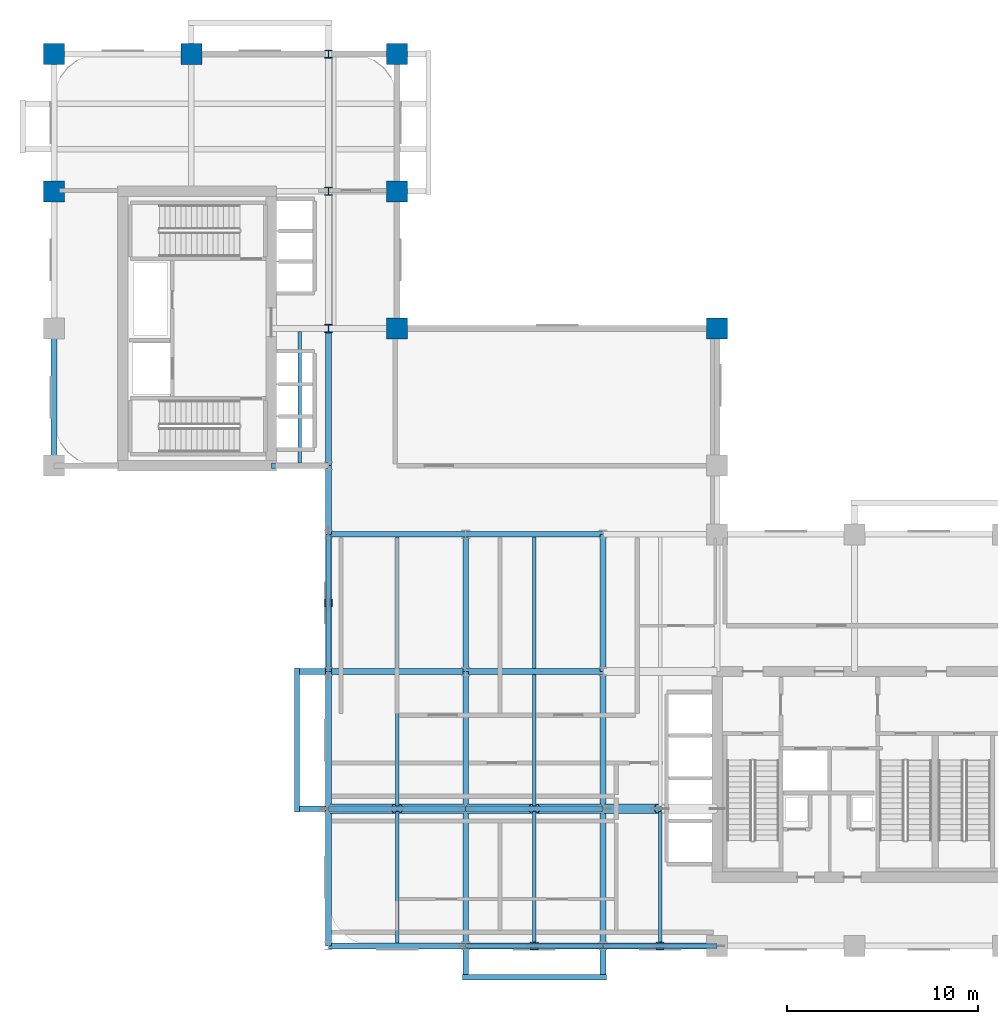
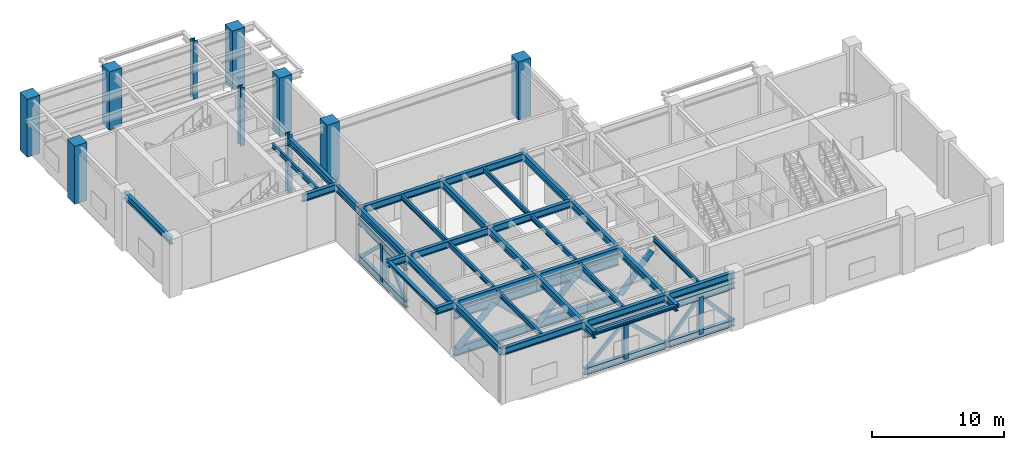
# One storey, part 2 of 12: 32 beams, 24 members, 10 columns.
"""IFC4 building model written with IfcOpenShell, lengths in metres."""

from ifc_helpers import new_model, si_unit, derived_unit, direction, frame, origin, origin_2d, place, context, subcontext, project, spatial, rectangle, hollow_rectangle, hollow_circle, i_section, extrude, source, transform, mapped, material, material_profile, profile_set, type_object, type_shapes, element, save


model = new_model("IFC4")

# Units and contexts
model_context = context("Model", 3, precision=1e-05, world=origin(), true_north=direction((0.0, 1.0)))
body_context = subcontext(model_context, "Body", "Model", "MODEL_VIEW")
ifc_project = project(units=[si_unit("LENGTHUNIT", "METRE"), si_unit("AREAUNIT", "SQUARE_METRE"), si_unit("VOLUMEUNIT", "CUBIC_METRE"), si_unit("PLANEANGLEUNIT", "RADIAN"), si_unit("MASSUNIT", "GRAM", prefix="KILO"), si_unit("THERMODYNAMICTEMPERATUREUNIT", "KELVIN"), si_unit("POWERUNIT", "WATT"), derived_unit("THERMALTRANSMITTANCEUNIT", [(si_unit("POWERUNIT", "WATT"), 1), (si_unit("AREAUNIT", "SQUARE_METRE"), -1), (si_unit("THERMODYNAMICTEMPERATUREUNIT", "KELVIN"), -1)])], contexts=[model_context])

# Site, building, storey
site_placement = place(None, origin())
site = spatial("IfcSite", under=ifc_project, at=site_placement, CompositionType="ELEMENT")
building_placement = place(site_placement, origin())
building = spatial("IfcBuilding", under=site, at=building_placement, Name="Zahravan Archway Hotel and Residences", CompositionType="ELEMENT")
storey_placement = place(building_placement, frame((0.0, 0.0, 106.39990234375)))
storey = spatial("IfcBuildingStorey", under=building, at=storey_placement, Name="L26", CompositionType="ELEMENT", Elevation=106.39990234375)

# Columns
ifc_material_1 = material(Name="Concrete C70/85", Category="concrete")
ifc_material_profile_1 = material_profile(ifc_material_1, rectangle(XDim=1.10009765625, YDim=1.10009765625, at=origin_2d()), Name="RC 1100x1100", Category="concrete")
ifc_profile_set_1 = profile_set([ifc_material_profile_1], Name="Concrete C70/85")
column_type_1 = type_object("IfcColumnType", Name="COL-RC-1100", PredefinedType="COLUMN", material=ifc_profile_set_1)
shared_shape_1 = source(origin(), body_context, "Body", "SweptSolid", [
    extrude(rectangle(XDim=1.10009765625, YDim=1.10009765625, at=origin_2d()), origin(), (0.0, 0.0, 1.0), 5.400146484375),
])
for number, where, z_axis, x_axis, name in (
    (1, (0.0, 39.60009765625, 0.0), (0.0, 0.0, 1.0), (1.0, 0.0, 0.0), "L26 Column 1-G"),
    (2, (0.0, 46.800048828125, 0.0), (0.0, 0.0, 1.0), (1.0, 0.0, 0.0), "L26 Column 1-H"),
    (3, (7.199951171875, 46.800048828125, 0.0), (0.0, 0.0, 1.0), (1.0, 0.0, 0.0), "L26 Column 2-H"),
    (4, (34.800048828125, 32.39990234375, 0.0), (0.0, 0.0, 1.0), (1.0, 0.0, 0.0), "L26 Column 6-F"),
    (5, (18.0, 32.39990234375, 0.0), (0.0, 0.0, 1.0), (1.0, 0.0, 0.0), "L26 Column 3B-F"),
    (6, (18.0, 39.60009765625, 0.0), (0.0, 0.0, 1.0), (1.0, 0.0, 0.0), "L26 Column 3B-G"),
    (7, (18.0, 46.800048828125, 0.0), (0.0, 0.0, 1.0), (1.0, 0.0, 0.0), "L26 Column 3B-H"),
):
    element("IfcColumn", number, at=place(storey_placement, frame(where, z_axis=z_axis, x_axis=x_axis)), inside=storey, type_object=column_type_1, Name=name, PredefinedType="COLUMN", context=body_context, shape_type="MappedRepresentation", body=[
        mapped(shared_shape_1, transform((0.0, 0.0, 0.0), scale=1.0)),
    ])
ifc_material_2 = material(Name="Structural Steel S460M", Category="steel")
ifc_material_profile_2 = material_profile(ifc_material_2, i_section(OverallWidth=0.408935546875, OverallDepth=0.425048828125, WebThickness=0.0244140625, FlangeThickness=0.0390625, FilletRadius=0.014892578125, at=origin_2d()), Name="HD 400x421", Category="steel")
ifc_profile_set_2 = profile_set([ifc_material_profile_2], Name="Structural Steel S460M")
column_type_2 = type_object("IfcColumnType", Name="COL-STL-HD400", PredefinedType="COLUMN", material=ifc_profile_set_2)
shared_shape_2 = source(origin(), body_context, "Body", "SweptSolid", [
    extrude(i_section(OverallWidth=0.408935546875, OverallDepth=0.425048828125, WebThickness=0.0244140625, FlangeThickness=0.0390625, FilletRadius=0.014892578125, at=origin_2d()), origin(), (0.0, 0.0, 1.0), 5.400146484375),
])
for number, where, z_axis, x_axis, name in (
    (8, (14.39990234375, 32.39990234375, 0.0), (0.0, 0.0, 1.0), (1.0, 0.0, 0.0), "L26 Column 3-F"),
    (9, (14.39990234375, 39.60009765625, 0.0), (0.0, 0.0, 1.0), (1.0, 0.0, 0.0), "L26 Column 3-G"),
    (10, (14.39990234375, 46.800048828125, 0.0), (0.0, 0.0, 1.0), (1.0, 0.0, 0.0), "L26 Column 3-H"),
):
    element("IfcColumn", number, at=place(storey_placement, frame(where, z_axis=z_axis, x_axis=x_axis)), inside=storey, type_object=column_type_2, Name=name, PredefinedType="COLUMN", context=body_context, shape_type="MappedRepresentation", body=[
        mapped(shared_shape_2, transform((0.0, 0.0, 0.0), scale=1.0)),
    ])

# Beams
ifc_material_3 = material(Name="Structural Steel S355JR", Category="steel")
ifc_material_profile_3 = material_profile(ifc_material_3, i_section(OverallWidth=0.300048828125, OverallDepth=0.64990234375, WebThickness=0.01611328125, FlangeThickness=0.031005859375, FilletRadius=0.027099609375, at=origin_2d()), Name="HEB 650", Category="steel")
ifc_profile_set_3 = profile_set([ifc_material_profile_3], Name="Structural Steel S355JR")
beam_type_1 = type_object("IfcBeamType", Name="BM-PRI-HEB650", PredefinedType="BEAM", material=ifc_profile_set_3)
shared_shape_3 = source(origin(), body_context, "Body", "SweptSolid", [
    extrude(i_section(OverallWidth=0.300048828125, OverallDepth=0.64990234375, WebThickness=0.01611328125, FlangeThickness=0.031005859375, FilletRadius=0.027099609375, at=origin_2d()), origin(), (0.0, 0.0, 1.0), 7.2001953125),
])
type_shapes(beam_type_1, [shared_shape_3])
for number, where, z_axis, x_axis, name in (
    (11, (14.39990234375, 0.0, 4.8251953125), (1.0, 0.0, 0.0), (0.0, 1.0, 0.0), "L26 Primary Girder EW-01"),
    (12, (14.39990234375, 21.60009765625, 4.8251953125), (1.0, 0.0, 0.0), (0.0, 1.0, 0.0), "L26 Primary Girder EW-11"),
    (13, (14.39990234375, 14.39990234375, 4.8251953125), (0.0, 1.0, 0.0), (-1.0, 0.0, 0.0), "L26 Primary Girder NS-30"),
    (14, (21.60009765625, 14.39990234375, 4.8251953125), (0.0, 1.0, 0.0), (-1.0, 0.0, 0.0), "L26 Primary Girder NS-37"),
    (15, (28.800048828125, 14.39990234375, 4.8251953125), (0.0, 1.0, 0.0), (-1.0, 0.0, 0.0), "L26 Primary Girder NS-40"),
):
    element("IfcBeam", number, at=place(storey_placement, frame(where, z_axis=z_axis, x_axis=x_axis)), inside=storey, type_object=beam_type_1, Name=name, PredefinedType="BEAM", context=body_context, shape_type="MappedRepresentation", body=[
        mapped(shared_shape_3, transform((0.0, 0.0, 0.0), scale=1.0)),
    ])
shared_shape_4 = source(origin(), body_context, "Body", "SweptSolid", [
    extrude(i_section(OverallWidth=0.300048828125, OverallDepth=0.64990234375, WebThickness=0.01611328125, FlangeThickness=0.031005859375, FilletRadius=0.027099609375, at=origin_2d()), origin(), (0.0, 0.0, 1.0), 7.199951171875),
])
for number, where, z_axis, x_axis, name in (
    (16, (21.60009765625, 0.0, 4.8251953125), (1.0, 0.0, 0.0), (0.0, 1.0, 0.0), "L26 Primary Girder EW-02"),
    (17, (21.60009765625, 7.199951171875, 4.8251953125), (1.0, 0.0, 0.0), (0.0, 1.0, 0.0), "L26 Primary Girder EW-07"),
    (18, (21.60009765625, 14.39990234375, 4.8251953125), (1.0, 0.0, 0.0), (0.0, 1.0, 0.0), "L26 Primary Girder EW-10"),
    (19, (21.60009765625, 21.60009765625, 4.8251953125), (1.0, 0.0, 0.0), (0.0, 1.0, 0.0), "L26 Primary Girder EW-12"),
    (20, (0.0, 25.199951171875, 4.8251953125), (0.0, 1.0, 0.0), (-1.0, 0.0, 0.0), "L26 Primary Girder NS-24"),
    (21, (14.39990234375, 0.0, 4.8251953125), (0.0, 1.0, 0.0), (-1.0, 0.0, 0.0), "L26 Primary Girder NS-28"),
    (22, (14.39990234375, 7.199951171875, 4.8251953125), (0.0, 1.0, 0.0), (-1.0, 0.0, 0.0), "L26 Primary Girder NS-29"),
    (23, (14.39990234375, 25.199951171875, 4.8251953125), (0.0, 1.0, 0.0), (-1.0, 0.0, 0.0), "L26 Primary Girder NS-32"),
    (24, (21.60009765625, 7.199951171875, 4.8251953125), (0.0, 1.0, 0.0), (-1.0, 0.0, 0.0), "L26 Primary Girder NS-36"),
    (25, (28.800048828125, 7.199951171875, 4.8251953125), (0.0, 1.0, 0.0), (-1.0, 0.0, 0.0), "L26 Primary Girder NS-39"),
):
    element("IfcBeam", number, at=place(storey_placement, frame(where, z_axis=z_axis, x_axis=x_axis)), inside=storey, type_object=beam_type_1, Name=name, PredefinedType="BEAM", context=body_context, shape_type="MappedRepresentation", body=[
        mapped(shared_shape_4, transform((0.0, 0.0, 0.0), scale=1.0)),
    ])
shared_shape_5 = source(origin(), body_context, "Body", "SweptSolid", [
    extrude(i_section(OverallWidth=0.300048828125, OverallDepth=0.64990234375, WebThickness=0.01611328125, FlangeThickness=0.031005859375, FilletRadius=0.027099609375, at=origin_2d()), origin(), (0.0, 0.0, 1.0), 6.0),
])
beam_1_placement = place(storey_placement, frame((28.800048828125, 0.0, 4.8251953125), z_axis=(1.0, 0.0, 0.0), x_axis=(0.0, 1.0, 0.0)))
element("IfcBeam", 26, at=beam_1_placement, inside=storey, type_object=beam_type_1, Name="L26 Primary Girder EW-03", PredefinedType="BEAM", context=body_context, shape_type="MappedRepresentation", body=[
    mapped(shared_shape_5, transform((0.0, 0.0, 0.0), scale=1.0)),
])
shared_shape_6 = source(origin(), body_context, "Body", "SweptSolid", [
    extrude(i_section(OverallWidth=0.300048828125, OverallDepth=0.64990234375, WebThickness=0.01611328125, FlangeThickness=0.031005859375, FilletRadius=0.027099609375, at=origin_2d()), origin(), (0.0, 0.0, 1.0), 3.0),
])
beam_2_placement = place(storey_placement, frame((11.39990234375, 25.199951171875, 4.8251953125), z_axis=(1.0, 0.0, 0.0), x_axis=(0.0, 1.0, 0.0)))
element("IfcBeam", 27, at=beam_2_placement, inside=storey, type_object=beam_type_1, Name="L26 Primary Girder EW-16", PredefinedType="BEAM", context=body_context, shape_type="MappedRepresentation", body=[
    mapped(shared_shape_6, transform((0.0, 0.0, 0.0), scale=1.0)),
])
ifc_material_profile_4 = material_profile(ifc_material_3, i_section(OverallWidth=0.280029296875, OverallDepth=0.280029296875, WebThickness=0.010498046875, FlangeThickness=0.01806640625, FilletRadius=0.02392578125, at=origin_2d()), Name="HEB 280", Category="steel")
ifc_profile_set_4 = profile_set([ifc_material_profile_4], Name="Structural Steel S355JR")
beam_type_2 = type_object("IfcBeamType", Name="BM-SPN-HEB280", PredefinedType="SPANDREL", material=ifc_profile_set_4)
shared_shape_7 = source(origin(), body_context, "Body", "SweptSolid", [
    extrude(i_section(OverallWidth=0.280029296875, OverallDepth=0.280029296875, WebThickness=0.010498046875, FlangeThickness=0.01806640625, FilletRadius=0.02392578125, at=origin_2d()), origin(), (0.0, 0.0, 1.0), 7.56005859375),
])
type_shapes(beam_type_2, [shared_shape_7])
for number, where, z_axis, x_axis, name in (
    (28, (12.75, 7.02001953125, 5.010009765625), (0.0, 1.0, 0.0), (-1.0, 0.0, 0.0), "L27 WA Balcony Edge Spandrel"),
    (29, (21.419921875, -1.64990234375, 5.010009765625), (1.0, 0.0, 0.0), (0.0, 1.0, 0.0), "L27 SA Balcony Edge Spandrel"),
):
    element("IfcBeam", number, at=place(storey_placement, frame(where, z_axis=z_axis, x_axis=x_axis)), inside=storey, type_object=beam_type_2, Name=name, PredefinedType="SPANDREL", context=body_context, shape_type="MappedRepresentation", body=[
        mapped(shared_shape_7, transform((0.0, 0.0, 0.0), scale=1.0)),
    ])
shared_shape_8 = source(origin(), body_context, "Body", "SweptSolid", [
    extrude(i_section(OverallWidth=0.300048828125, OverallDepth=0.64990234375, WebThickness=0.01611328125, FlangeThickness=0.031005859375, FilletRadius=0.027099609375, at=origin_2d()), origin(), (0.0, 0.0, 1.0), 3.599853515625),
])
beam_3_placement = place(storey_placement, frame((14.39990234375, 21.60009765625, 4.8251953125), z_axis=(0.0, 1.0, 0.0), x_axis=(-1.0, 0.0, 0.0)))
element("IfcBeam", 30, at=beam_3_placement, inside=storey, type_object=beam_type_1, Name="L26 Primary Girder NS-31", PredefinedType="BEAM", context=body_context, shape_type="MappedRepresentation", body=[
    mapped(shared_shape_8, transform((0.0, 0.0, 0.0), scale=1.0)),
])
ifc_material_profile_5 = material_profile(ifc_material_3, i_section(OverallWidth=0.18994140625, OverallDepth=0.449951171875, WebThickness=0.009521484375, FlangeThickness=0.0146484375, FilletRadius=0.02099609375, at=origin_2d()), Name="IPE 450", Category="steel")
ifc_profile_set_5 = profile_set([ifc_material_profile_5], Name="Structural Steel S355JR")
beam_type_3 = type_object("IfcBeamType", Name="BM-JST-IPE450", PredefinedType="JOIST", material=ifc_profile_set_5)
shared_shape_9 = source(origin(), body_context, "Body", "SweptSolid", [
    extrude(i_section(OverallWidth=0.18994140625, OverallDepth=0.449951171875, WebThickness=0.009521484375, FlangeThickness=0.0146484375, FilletRadius=0.02099609375, at=origin_2d()), origin(), (0.0, 0.0, 1.0), 6.904052734375),
])
type_shapes(beam_type_3, [shared_shape_9])
for number, where, z_axis, x_axis, name in (
    (31, (18.0, 0.14794921875, 4.925048828125), (0.0, 1.0, 0.0), (-1.0, 0.0, 0.0), "L26 Composite Floor Joist 01"),
    (32, (25.199951171875, 0.14794921875, 4.925048828125), (0.0, 1.0, 0.0), (-1.0, 0.0, 0.0), "L26 Composite Floor Joist 02"),
    (33, (31.800048828125, 0.14794921875, 4.925048828125), (0.0, 1.0, 0.0), (-1.0, 0.0, 0.0), "L26 Composite Floor Joist 03"),
    (34, (18.0, 7.347900390625, 4.925048828125), (0.0, 1.0, 0.0), (-1.0, 0.0, 0.0), "L26 Composite Floor Joist 04"),
    (35, (25.199951171875, 7.347900390625, 4.925048828125), (0.0, 1.0, 0.0), (-1.0, 0.0, 0.0), "L26 Composite Floor Joist 05"),
    (36, (12.89990234375, 25.347900390625, 4.925048828125), (0.0, 1.0, 0.0), (-1.0, 0.0, 0.0), "L26 Composite Floor Joist 10"),
):
    element("IfcBeam", number, at=place(storey_placement, frame(where, z_axis=z_axis, x_axis=x_axis)), inside=storey, type_object=beam_type_3, Name=name, PredefinedType="JOIST", context=body_context, shape_type="MappedRepresentation", body=[
        mapped(shared_shape_9, transform((0.0, 0.0, 0.0), scale=1.0)),
    ])
shared_shape_10 = source(origin(), body_context, "Body", "SweptSolid", [
    extrude(i_section(OverallWidth=0.18994140625, OverallDepth=0.449951171875, WebThickness=0.009521484375, FlangeThickness=0.0146484375, FilletRadius=0.02099609375, at=origin_2d()), origin(), (0.0, 0.0, 1.0), 6.90380859375),
])
for number, where, z_axis, x_axis, name in (
    (37, (18.0, 14.548095703125, 4.925048828125), (0.0, 1.0, 0.0), (-1.0, 0.0, 0.0), "L26 Composite Floor Joist 08"),
    (38, (25.199951171875, 14.548095703125, 4.925048828125), (0.0, 1.0, 0.0), (-1.0, 0.0, 0.0), "L26 Composite Floor Joist 09"),
):
    element("IfcBeam", number, at=place(storey_placement, frame(where, z_axis=z_axis, x_axis=x_axis)), inside=storey, type_object=beam_type_3, Name=name, PredefinedType="JOIST", context=body_context, shape_type="MappedRepresentation", body=[
        mapped(shared_shape_10, transform((0.0, 0.0, 0.0), scale=1.0)),
    ])
shared_shape_11 = source(origin(), body_context, "Body", "SweptSolid", [
    extrude(i_section(OverallWidth=0.300048828125, OverallDepth=0.64990234375, WebThickness=0.01611328125, FlangeThickness=0.031005859375, FilletRadius=0.027099609375, at=origin_2d()), origin(), (0.0, 0.0, 1.0), 8.85009765625),
])
for number, where, z_axis, x_axis, name in (
    (39, (12.75, 7.199951171875, 4.8251953125), (1.0, 0.0, 0.0), (0.0, 1.0, 0.0), "L26 Primary Girder EW-06"),
    (40, (12.75, 14.39990234375, 4.8251953125), (1.0, 0.0, 0.0), (0.0, 1.0, 0.0), "L26 Primary Girder EW-09"),
):
    element("IfcBeam", number, at=place(storey_placement, frame(where, z_axis=z_axis, x_axis=x_axis)), inside=storey, type_object=beam_type_1, Name=name, PredefinedType="BEAM", context=body_context, shape_type="MappedRepresentation", body=[
        mapped(shared_shape_11, transform((0.0, 0.0, 0.0), scale=1.0)),
    ])
shared_shape_12 = source(origin(), body_context, "Body", "SweptSolid", [
    extrude(i_section(OverallWidth=0.300048828125, OverallDepth=0.64990234375, WebThickness=0.01611328125, FlangeThickness=0.031005859375, FilletRadius=0.027099609375, at=origin_2d()), origin(), (0.0, 0.0, 1.0), 8.849853515625),
])
for number, where, z_axis, x_axis, name in (
    (41, (21.60009765625, -1.64990234375, 4.8251953125), (0.0, 1.0, 0.0), (-1.0, 0.0, 0.0), "L26 Primary Girder NS-35"),
    (42, (28.800048828125, -1.64990234375, 4.8251953125), (0.0, 1.0, 0.0), (-1.0, 0.0, 0.0), "L26 Primary Girder NS-38"),
):
    element("IfcBeam", number, at=place(storey_placement, frame(where, z_axis=z_axis, x_axis=x_axis)), inside=storey, type_object=beam_type_1, Name=name, PredefinedType="BEAM", context=body_context, shape_type="MappedRepresentation", body=[
        mapped(shared_shape_12, transform((0.0, 0.0, 0.0), scale=1.0)),
    ])

# Members
ifc_material_profile_6 = material_profile(ifc_material_2, i_section(OverallWidth=0.302978515625, OverallDepth=0.81396484375, WebThickness=0.02099609375, FlangeThickness=0.0400390625, FilletRadius=0.030029296875, at=origin_2d()), Name="HEM 800", Category="steel")
ifc_profile_set_6 = profile_set([ifc_material_profile_6], Name="Structural Steel S460M")
member_type_1 = type_object("IfcMemberType", Name="MEM-CHD-HEM800", PredefinedType="CHORD", material=ifc_profile_set_6)
shared_shape_13 = source(origin(), body_context, "Body", "SweptSolid", [
    extrude(i_section(OverallWidth=0.302978515625, OverallDepth=0.81396484375, WebThickness=0.02099609375, FlangeThickness=0.0400390625, FilletRadius=0.030029296875, at=origin_2d()), origin(), (0.0, 0.0, 1.0), 7.2001953125),
])
type_shapes(member_type_1, [shared_shape_13])
for number, where, z_axis, x_axis, name in (
    (43, (14.39990234375, 7.199951171875, 3.900146484375), (1.0, 0.0, 0.0), (0.0, 1.0, 0.0), "L26 Outrigger OT2 Top Chord 1"),
    (44, (14.39990234375, 7.199951171875, 0.4501953125), (1.0, 0.0, 0.0), (0.0, 1.0, 0.0), "L26 Outrigger OT2 Bottom Chord 1"),
):
    element("IfcMember", number, at=place(storey_placement, frame(where, z_axis=z_axis, x_axis=x_axis)), inside=storey, type_object=member_type_1, Name=name, PredefinedType="CHORD", context=body_context, shape_type="MappedRepresentation", body=[
        mapped(shared_shape_13, transform((0.0, 0.0, 0.0), scale=1.0)),
    ])
ifc_material_profile_7 = material_profile(ifc_material_2, hollow_circle(Radius=0.25390625, WallThickness=0.02490234375, at=origin_2d()), Name="CHS 508x25", Category="steel")
ifc_profile_set_7 = profile_set([ifc_material_profile_7], Name="Structural Steel S460M")
member_type_2 = type_object("IfcMemberType", Name="MEM-DIAG-CHS508", PredefinedType="BRACE", material=ifc_profile_set_7)
shared_shape_14 = source(origin(), body_context, "Body", "SweptSolid", [
    extrude(hollow_circle(Radius=0.25390625, WallThickness=0.02490234375, at=origin_2d()), origin(), (0.0, 0.0, 1.0), 4.586181640625),
])
type_shapes(member_type_2, [shared_shape_14])
for number, where, z_axis, x_axis, name in (
    (45, (14.5732421875, 7.199951171875, 0.6162109375), (0.722011473464, 0.0, 0.691881082402), (0.0, 1.0, 0.0), "L26 Outrigger OT2 Chevron Left 1"),
    (46, (18.115478515625, 7.199951171875, 3.789306640625), (0.722011473464, 0.0, -0.691881082402), (0.0, 1.0, 0.0), "L26 Outrigger OT2 Chevron Right 1"),
    (47, (21.773193359375, 7.199951171875, 0.6162109375), (0.722011473464, 0.0, 0.691881082402), (0.0, 1.0, 0.0), "L26 Outrigger OT2 Chevron Left 2"),
    (48, (25.3154296875, 7.199951171875, 3.789306640625), (0.722011473464, 0.0, -0.691881082402), (0.0, 1.0, 0.0), "L26 Outrigger OT2 Chevron Right 2"),
):
    element("IfcMember", number, at=place(storey_placement, frame(where, z_axis=z_axis, x_axis=x_axis)), inside=storey, type_object=member_type_2, Name=name, PredefinedType="BRACE", context=body_context, shape_type="MappedRepresentation", body=[
        mapped(shared_shape_14, transform((0.0, 0.0, 0.0), scale=1.0)),
    ])
shared_shape_15 = source(origin(), body_context, "Body", "SweptSolid", [
    extrude(i_section(OverallWidth=0.302978515625, OverallDepth=0.81396484375, WebThickness=0.02099609375, FlangeThickness=0.0400390625, FilletRadius=0.030029296875, at=origin_2d()), origin(), (0.0, 0.0, 1.0), 7.199951171875),
])
for number, where, z_axis, x_axis, name in (
    (49, (21.60009765625, 7.199951171875, 3.900146484375), (1.0, 0.0, 0.0), (0.0, 1.0, 0.0), "L26 Outrigger OT2 Top Chord 2"),
    (50, (21.60009765625, 7.199951171875, 0.4501953125), (1.0, 0.0, 0.0), (0.0, 1.0, 0.0), "L26 Outrigger OT2 Bottom Chord 2"),
):
    element("IfcMember", number, at=place(storey_placement, frame(where, z_axis=z_axis, x_axis=x_axis)), inside=storey, type_object=member_type_1, Name=name, PredefinedType="CHORD", context=body_context, shape_type="MappedRepresentation", body=[
        mapped(shared_shape_15, transform((0.0, 0.0, 0.0), scale=1.0)),
    ])
shared_shape_16 = source(origin(), body_context, "Body", "SweptSolid", [
    extrude(hollow_circle(Radius=0.25390625, WallThickness=0.02490234375, at=origin_2d()), origin(), (0.0, 0.0, 1.0), 4.171875),
])
member_placement = place(storey_placement, frame((28.95751953125, 7.199951171875, 0.631103515625), z_axis=(0.656177266113, 0.0, 0.754606781997), x_axis=(0.0, 1.0, 0.0)))
element("IfcMember", 51, at=member_placement, inside=storey, type_object=member_type_2, Name="L26 Outrigger OT2 Chevron Left 3", PredefinedType="BRACE", context=body_context, shape_type="MappedRepresentation", body=[
    mapped(shared_shape_16, transform((0.0, 0.0, 0.0), scale=1.0)),
])
ifc_material_4 = material(Name="Structural Steel S355J2", Category="steel")
ifc_material_profile_8 = material_profile(ifc_material_4, i_section(OverallWidth=0.304931640625, OverallDepth=0.6201171875, WebThickness=0.02099609375, FlangeThickness=0.0400390625, FilletRadius=0.027099609375, at=origin_2d()), Name="HEM 600", Category="steel")
ifc_profile_set_8 = profile_set([ifc_material_profile_8], Name="Structural Steel S355J2")
member_type_3 = type_object("IfcMemberType", Name="MEM-CHD-HEM600", PredefinedType="CHORD", material=ifc_profile_set_8)
shared_shape_17 = source(origin(), body_context, "Body", "SweptSolid", [
    extrude(i_section(OverallWidth=0.304931640625, OverallDepth=0.6201171875, WebThickness=0.02099609375, FlangeThickness=0.0400390625, FilletRadius=0.027099609375, at=origin_2d()), origin(), (0.0, 0.0, 1.0), 7.199951171875),
])
type_shapes(member_type_3, [shared_shape_17])
for number, where, z_axis, x_axis, name in (
    (52, (21.60009765625, 0.0, 0.4501953125), (1.0, 0.0, 0.0), (0.0, 1.0, 0.0), "L26 Belt Truss BT2 Bottom Chord 1"),
    (53, (21.60009765625, 0.0, 3.900146484375), (1.0, 0.0, 0.0), (0.0, 1.0, 0.0), "L26 Belt Truss BT2 Top Chord 1"),
):
    element("IfcMember", number, at=place(storey_placement, frame(where, z_axis=z_axis, x_axis=x_axis)), inside=storey, type_object=member_type_3, Name=name, PredefinedType="CHORD", context=body_context, shape_type="MappedRepresentation", body=[
        mapped(shared_shape_17, transform((0.0, 0.0, 0.0), scale=1.0)),
    ])
ifc_material_profile_9 = material_profile(ifc_material_4, hollow_rectangle(XDim=0.199951171875, YDim=0.300048828125, WallThickness=0.012451171875, at=origin_2d()), Name="RHS 300x200x12.5", Category="steel")
ifc_profile_set_9 = profile_set([ifc_material_profile_9], Name="Structural Steel S355J2")
member_type_4 = type_object("IfcMemberType", Name="MEM-DIAG-RHS300", PredefinedType="BRACE", material=ifc_profile_set_9)
shared_shape_18 = source(origin(), body_context, "Body", "SweptSolid", [
    extrude(hollow_rectangle(XDim=0.199951171875, YDim=0.300048828125, WallThickness=0.012451171875, at=origin_2d()), origin(), (0.0, 0.0, 1.0), 4.586181640625),
])
type_shapes(member_type_4, [shared_shape_18])
for number, where, z_axis, x_axis, name in (
    (54, (21.773193359375, 0.0, 0.6162109375), (0.722011473464, 0.0, 0.691881082402), (0.0, 1.0, 0.0), "L26 Belt Truss BT2 Left Brace 1"),
    (55, (25.3154296875, 0.0, 3.789306640625), (0.722011473464, 0.0, -0.691881082402), (0.0, 1.0, 0.0), "L26 Belt Truss BT2 Right Brace 1"),
    (56, (14.39990234375, 14.5732421875, 0.6162109375), (0.0, 0.722011473464, 0.691881082402), (-1.0, 0.0, 0.0), "L26 Belt Truss BT2 Left Brace 3"),
    (57, (14.39990234375, 18.115478515625, 3.789306640625), (0.0, 0.722011473464, -0.691881082402), (-1.0, 0.0, 0.0), "L26 Belt Truss BT2 Right Brace 3"),
):
    element("IfcMember", number, at=place(storey_placement, frame(where, z_axis=z_axis, x_axis=x_axis)), inside=storey, type_object=member_type_4, Name=name, PredefinedType="BRACE", context=body_context, shape_type="MappedRepresentation", body=[
        mapped(shared_shape_18, transform((0.0, 0.0, 0.0), scale=1.0)),
    ])
ifc_material_profile_10 = material_profile(ifc_material_4, hollow_rectangle(XDim=0.39990234375, YDim=0.39990234375, WallThickness=0.02001953125, at=origin_2d()), Name="SHS 400x400x20", Category="steel")
ifc_profile_set_10 = profile_set([ifc_material_profile_10], Name="Structural Steel S355J2")
member_type_5 = type_object("IfcMemberType", Name="MEM-POST-SHS400", PredefinedType="POST", material=ifc_profile_set_10)
shared_shape_19 = source(origin(), body_context, "Body", "SweptSolid", [
    extrude(hollow_rectangle(XDim=0.39990234375, YDim=0.39990234375, WallThickness=0.02001953125, at=origin_2d()), origin(), (0.0, 0.0, 1.0), 3.449951171875),
])
type_shapes(member_type_5, [shared_shape_19])
for number, where, z_axis, x_axis, name in (
    (58, (25.199951171875, 0.0, 0.4501953125), (0.0, 0.0, 1.0), (1.0, 0.0, 0.0), "L26 Belt Truss BT2 King Post 1"),
    (59, (31.800048828125, 0.0, 0.4501953125), (0.0, 0.0, 1.0), (1.0, 0.0, 0.0), "L26 Belt Truss BT2 King Post 2"),
    (60, (14.39990234375, 18.0, 0.4501953125), (0.0, 0.0, 1.0), (1.0, 0.0, 0.0), "L26 Belt Truss BT2 King Post 3"),
):
    element("IfcMember", number, at=place(storey_placement, frame(where, z_axis=z_axis, x_axis=x_axis)), inside=storey, type_object=member_type_5, Name=name, PredefinedType="POST", context=body_context, shape_type="MappedRepresentation", body=[
        mapped(shared_shape_19, transform((0.0, 0.0, 0.0), scale=1.0)),
    ])
shared_shape_20 = source(origin(), body_context, "Body", "SweptSolid", [
    extrude(i_section(OverallWidth=0.304931640625, OverallDepth=0.6201171875, WebThickness=0.02099609375, FlangeThickness=0.0400390625, FilletRadius=0.027099609375, at=origin_2d()), origin(), (0.0, 0.0, 1.0), 6.0),
])
for number, where, z_axis, x_axis, name in (
    (61, (28.800048828125, 0.0, 0.4501953125), (1.0, 0.0, 0.0), (0.0, 1.0, 0.0), "L26 Belt Truss BT2 Bottom Chord 2"),
    (62, (28.800048828125, 0.0, 3.900146484375), (1.0, 0.0, 0.0), (0.0, 1.0, 0.0), "L26 Belt Truss BT2 Top Chord 2"),
):
    element("IfcMember", number, at=place(storey_placement, frame(where, z_axis=z_axis, x_axis=x_axis)), inside=storey, type_object=member_type_3, Name=name, PredefinedType="CHORD", context=body_context, shape_type="MappedRepresentation", body=[
        mapped(shared_shape_20, transform((0.0, 0.0, 0.0), scale=1.0)),
    ])
shared_shape_21 = source(origin(), body_context, "Body", "SweptSolid", [
    extrude(hollow_rectangle(XDim=0.199951171875, YDim=0.300048828125, WallThickness=0.012451171875, at=origin_2d()), origin(), (0.0, 0.0, 1.0), 4.171875),
])
for number, where, z_axis, x_axis, name in (
    (63, (28.95751953125, 0.0, 0.631103515625), (0.656177266113, 0.0, 0.754606781997), (0.0, 1.0, 0.0), "L26 Belt Truss BT2 Left Brace 2"),
    (64, (31.905029296875, 0.0, 3.779296875), (0.656177266113, 0.0, -0.754606781997), (0.0, 1.0, 0.0), "L26 Belt Truss BT2 Right Brace 2"),
):
    element("IfcMember", number, at=place(storey_placement, frame(where, z_axis=z_axis, x_axis=x_axis)), inside=storey, type_object=member_type_4, Name=name, PredefinedType="BRACE", context=body_context, shape_type="MappedRepresentation", body=[
        mapped(shared_shape_21, transform((0.0, 0.0, 0.0), scale=1.0)),
    ])
shared_shape_22 = source(origin(), body_context, "Body", "SweptSolid", [
    extrude(i_section(OverallWidth=0.304931640625, OverallDepth=0.6201171875, WebThickness=0.02099609375, FlangeThickness=0.0400390625, FilletRadius=0.027099609375, at=origin_2d()), origin(), (0.0, 0.0, 1.0), 7.2001953125),
])
for number, where, z_axis, x_axis, name in (
    (65, (14.39990234375, 14.39990234375, 0.4501953125), (0.0, 1.0, 0.0), (-1.0, 0.0, 0.0), "L26 Belt Truss BT2 Bottom Chord 3"),
    (66, (14.39990234375, 14.39990234375, 3.900146484375), (0.0, 1.0, 0.0), (-1.0, 0.0, 0.0), "L26 Belt Truss BT2 Top Chord 3"),
):
    element("IfcMember", number, at=place(storey_placement, frame(where, z_axis=z_axis, x_axis=x_axis)), inside=storey, type_object=member_type_3, Name=name, PredefinedType="CHORD", context=body_context, shape_type="MappedRepresentation", body=[
        mapped(shared_shape_22, transform((0.0, 0.0, 0.0), scale=1.0)),
    ])

save(model, "model.ifc")
